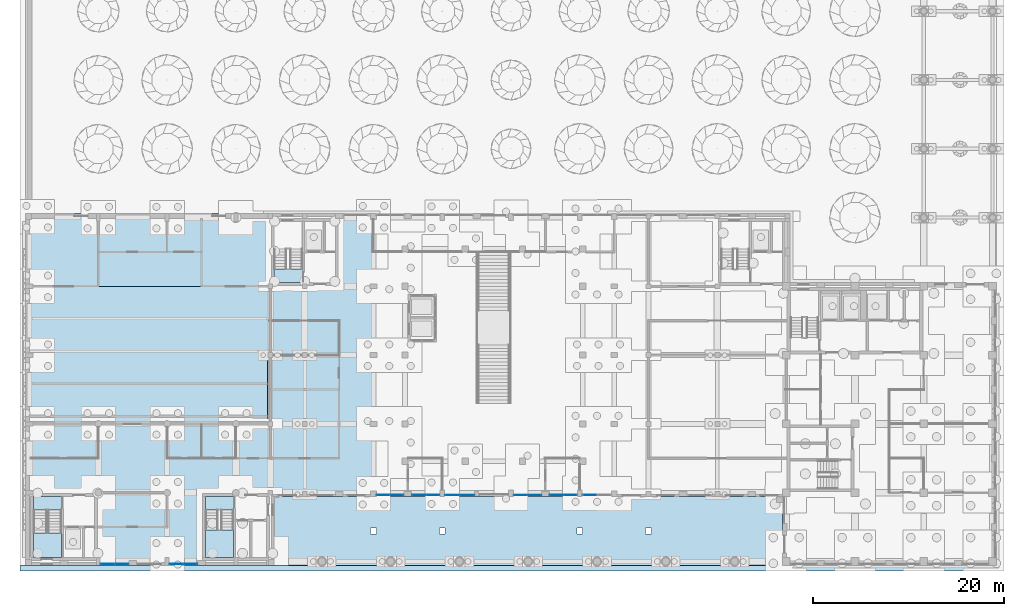
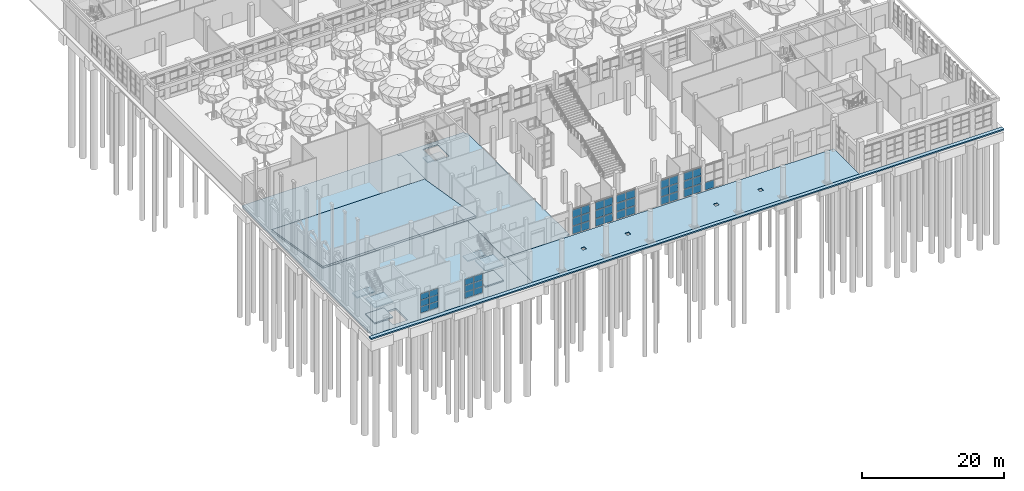
# One storey, part 30 of 80: 43 plates, 12 slabs, 11 elements without a shape of their own.
"""IFC4 building model written with IfcOpenShell, lengths in metres."""

from ifc_helpers import new_model, si_unit, direction, frame, origin, origin_2d, place, context, subcontext, project, spatial, polyline, rectangle, outline, extrude, material, layer, layer_set, type_object, element, aggregate, save


model = new_model("IFC4")

# Units and contexts
model_context = context("Model", 3, precision=1e-05, world=origin(), true_north=direction((0.0, 1.0)))
body_context = subcontext(model_context, "Body", "Model", "MODEL_VIEW")
ifc_project = project(units=[si_unit("LENGTHUNIT", "METRE"), si_unit("AREAUNIT", "SQUARE_METRE"), si_unit("VOLUMEUNIT", "CUBIC_METRE"), si_unit("PLANEANGLEUNIT", "RADIAN"), si_unit("MASSUNIT", "GRAM", prefix="KILO")], contexts=[model_context])

# Site, building, storey
site_placement = place(None, origin())
site = spatial("IfcSite", under=ifc_project, at=site_placement, CompositionType="ELEMENT")
building_placement = place(site_placement, origin())
building = spatial("IfcBuilding", under=site, at=building_placement, Name="Ussher Court Research Institute", CompositionType="ELEMENT")
storey_placement = place(building_placement, origin())
storey = spatial("IfcBuildingStorey", under=building, at=storey_placement, Name="L00", CompositionType="ELEMENT", Elevation=0.0)

# Slabs
ifc_material_1 = material(Name="Precast concrete C30/37 paving", Category="concrete")
ifc_layer_1 = layer(ifc_material_1, 0.1201171875)
ifc_layer_set_1 = layer_set([ifc_layer_1], Name="Precast concrete C30/37 paving")
slab_type_1 = type_object("IfcSlabType", Name="External paving slab 120 pedestrian", PredefinedType="BASESLAB", material=ifc_layer_set_1)
slab_1_placement = place(storey_placement, frame((0.0, 0.0, -0.1201171875)))
element("IfcSlab", 1, at=slab_1_placement, inside=storey, type_object=slab_type_1, Name="Colonnade floor paving", PredefinedType="BASESLAB", context=body_context, shape_type="SweptSolid", body=[
    extrude(outline(polyline([(64.60009765625, 10.800048828125), (63.800048828125, 10.800048828125), (39.39990234375, 10.800048828125), (38.60009765625, 10.800048828125), (28.60009765625, 10.800048828125), (28.60009765625, 3.60009765625), (81.800048828125, 3.60009765625), (81.800048828125, 10.800048828125), (64.60009765625, 10.800048828125)]), holes=[polyline([(38.699951171875, 6.89990234375), (38.699951171875, 7.5), (39.300048828125, 7.5), (39.300048828125, 6.89990234375), (38.699951171875, 6.89990234375)]), polyline([(45.89990234375, 6.89990234375), (45.89990234375, 7.5), (46.5, 7.5), (46.5, 6.89990234375), (45.89990234375, 6.89990234375)]), polyline([(60.300048828125, 6.89990234375), (60.300048828125, 7.5), (60.89990234375, 7.5), (60.89990234375, 6.89990234375), (60.300048828125, 6.89990234375)]), polyline([(67.5, 6.89990234375), (67.5, 7.5), (68.10009765625, 7.5), (68.10009765625, 6.89990234375), (67.5, 6.89990234375)])]), origin(), (0.0, 0.0, 1.0), 0.1201171875),
])
ifc_material_2 = material(Name="Precast concrete C30/37 paving", Category="concrete")
ifc_layer_2 = layer(ifc_material_2, 0.219970703125)
ifc_layer_set_2 = layer_set([ifc_layer_2], Name="Precast concrete C30/37 paving")
slab_type_2 = type_object("IfcSlabType", Name="External paving slab 220 light vehicle", PredefinedType="BASESLAB", material=ifc_layer_set_2)
slab_2_placement = place(storey_placement, frame((0.0, 0.0, -0.219970703125)))
element("IfcSlab", 2, at=slab_2_placement, inside=storey, type_object=slab_type_2, Name="Forecourt paving", PredefinedType="BASESLAB", context=body_context, shape_type="SweptSolid", body=[
    extrude(outline(polyline([(105.0, 3.0), (105.0, 3.60009765625), (104.199951171875, 3.60009765625), (81.800048828125, 3.60009765625), (28.60009765625, 3.60009765625), (20.60009765625, 3.60009765625), (10.60009765625, 3.60009765625), (2.60009765625, 3.60009765625), (2.0, 3.60009765625), (2.0, 3.0), (105.0, 3.0)])), origin(), (0.0, 0.0, 1.0), 0.219970703125),
])

# Curtain wall, plate
ifc_material_3 = material(Name="Bronze anodised aluminium with low-e glass", Category="aluminium")
ifc_layer_3 = layer(ifc_material_3, 0.1201171875)
ifc_layer_set_3 = layer_set([ifc_layer_3], Name="Bronze anodised aluminium with low-e glass")
curtain_wall_type_1 = type_object("IfcCurtainWallType", Name="Curtain wall atrium clear glazing", PredefinedType="NOTDEFINED", material=ifc_layer_set_3)
curtain_wall_1_placement = place(storey_placement, origin())
curtain_wall_1 = element("IfcCurtainWall", 3, at=curtain_wall_1_placement, inside=storey, type_object=curtain_wall_type_1, Name="Curtain wall CW2 L00", PredefinedType="NOTDEFINED")
ifc_material_4 = material(Name="Double glazed unit")
ifc_layer_4 = layer(ifc_material_4, 0.028076171875)
ifc_layer_set_4 = layer_set([ifc_layer_4], Name="Double glazed unit")
plate_type_1 = type_object("IfcPlateType", Name="Glazing panel 28 mm", PredefinedType="CURTAIN_PANEL", material=ifc_layer_set_4)
plate_1_placement = place(storey_placement, frame((61.62744140625, 10.949951171875, 0.06005859375), z_axis=(0.0, 0.0, 1.0), x_axis=(-1.0, 0.0, 0.0)))
plate_1 = element("IfcPlate", 4, at=plate_1_placement, type_object=plate_type_1, Name="CW2 panel 2.1", PredefinedType="CURTAIN_PANEL", context=body_context, shape_type="SweptSolid", body=[
    extrude(rectangle(XDim=1.43505859375, YDim=0.028076171875, at=origin_2d()), origin(), (0.0, 0.0, 1.0), 1.34326171875),
])
aggregate(curtain_wall_1, [plate_1])

# Curtain wall, plates
curtain_wall_2_placement = place(storey_placement, origin())
curtain_wall_2 = element("IfcCurtainWall", 5, at=curtain_wall_2_placement, inside=storey, type_object=curtain_wall_type_1, Name="Curtain wall CW2 L00", PredefinedType="NOTDEFINED")
plate_2_placement = place(storey_placement, frame((59.597412109375, 10.949951171875, 0.06005859375), z_axis=(0.0, 0.0, 1.0), x_axis=(-1.0, 0.0, 0.0)))
plate_2 = element("IfcPlate", 6, at=plate_2_placement, type_object=plate_type_1, Name="CW2 panel 1.1", PredefinedType="CURTAIN_PANEL", context=body_context, shape_type="SweptSolid", body=[
    extrude(rectangle(XDim=1.385009765625, YDim=0.028076171875, at=origin_2d()), origin(), (0.0, 0.0, 1.0), 1.34326171875),
])
plate_3_placement = place(storey_placement, frame((59.597412109375, 10.949951171875, 1.46337890625), z_axis=(0.0, 0.0, 1.0), x_axis=(-1.0, 0.0, 0.0)))
plate_3 = element("IfcPlate", 7, at=plate_3_placement, type_object=plate_type_1, Name="CW2 panel 1.2", PredefinedType="CURTAIN_PANEL", context=body_context, shape_type="SweptSolid", body=[
    extrude(rectangle(XDim=1.385009765625, YDim=0.028076171875, at=origin_2d()), origin(), (0.0, 0.0, 1.0), 1.373291015625),
])
plate_4_placement = place(storey_placement, frame((59.597412109375, 10.949951171875, 2.896728515625), z_axis=(0.0, 0.0, 1.0), x_axis=(-1.0, 0.0, 0.0)))
plate_4 = element("IfcPlate", 8, at=plate_4_placement, type_object=plate_type_1, Name="CW2 panel 1.3", PredefinedType="CURTAIN_PANEL", context=body_context, shape_type="SweptSolid", body=[
    extrude(rectangle(XDim=1.385009765625, YDim=0.028076171875, at=origin_2d()), origin(), (0.0, 0.0, 1.0), 1.34326171875),
])
plate_5_placement = place(storey_placement, frame((58.152587890625, 10.949951171875, 0.06005859375), z_axis=(0.0, 0.0, 1.0), x_axis=(-1.0, 0.0, 0.0)))
plate_5 = element("IfcPlate", 9, at=plate_5_placement, type_object=plate_type_1, Name="CW2 panel 2.1", PredefinedType="CURTAIN_PANEL", context=body_context, shape_type="SweptSolid", body=[
    extrude(rectangle(XDim=1.385009765625, YDim=0.028076171875, at=origin_2d()), origin(), (0.0, 0.0, 1.0), 1.34326171875),
])
plate_6_placement = place(storey_placement, frame((58.152587890625, 10.949951171875, 1.46337890625), z_axis=(0.0, 0.0, 1.0), x_axis=(-1.0, 0.0, 0.0)))
plate_6 = element("IfcPlate", 10, at=plate_6_placement, type_object=plate_type_1, Name="CW2 panel 2.2", PredefinedType="CURTAIN_PANEL", context=body_context, shape_type="SweptSolid", body=[
    extrude(rectangle(XDim=1.385009765625, YDim=0.028076171875, at=origin_2d()), origin(), (0.0, 0.0, 1.0), 1.373291015625),
])
plate_7_placement = place(storey_placement, frame((58.152587890625, 10.949951171875, 2.896728515625), z_axis=(0.0, 0.0, 1.0), x_axis=(-1.0, 0.0, 0.0)))
plate_7 = element("IfcPlate", 11, at=plate_7_placement, type_object=plate_type_1, Name="CW2 panel 2.3", PredefinedType="CURTAIN_PANEL", context=body_context, shape_type="SweptSolid", body=[
    extrude(rectangle(XDim=1.385009765625, YDim=0.028076171875, at=origin_2d()), origin(), (0.0, 0.0, 1.0), 1.34326171875),
])
aggregate(curtain_wall_2, [plate_2, plate_3, plate_4, plate_5, plate_6, plate_7])

curtain_wall_3_placement = place(storey_placement, origin())
curtain_wall_3 = element("IfcCurtainWall", 12, at=curtain_wall_3_placement, inside=storey, type_object=curtain_wall_type_1, Name="Curtain wall CW2 L00", PredefinedType="NOTDEFINED")
plate_8_placement = place(storey_placement, frame((45.197509765625, 10.949951171875, 0.06005859375), z_axis=(0.0, 0.0, 1.0), x_axis=(-1.0, 0.0, 0.0)))
plate_8 = element("IfcPlate", 13, at=plate_8_placement, type_object=plate_type_1, Name="CW2 panel 1.1", PredefinedType="CURTAIN_PANEL", context=body_context, shape_type="SweptSolid", body=[
    extrude(rectangle(XDim=1.385009765625, YDim=0.028076171875, at=origin_2d()), origin(), (0.0, 0.0, 1.0), 1.34326171875),
])
plate_9_placement = place(storey_placement, frame((45.197509765625, 10.949951171875, 1.46337890625), z_axis=(0.0, 0.0, 1.0), x_axis=(-1.0, 0.0, 0.0)))
plate_9 = element("IfcPlate", 14, at=plate_9_placement, type_object=plate_type_1, Name="CW2 panel 1.2", PredefinedType="CURTAIN_PANEL", context=body_context, shape_type="SweptSolid", body=[
    extrude(rectangle(XDim=1.385009765625, YDim=0.028076171875, at=origin_2d()), origin(), (0.0, 0.0, 1.0), 1.373291015625),
])
plate_10_placement = place(storey_placement, frame((45.197509765625, 10.949951171875, 2.896728515625), z_axis=(0.0, 0.0, 1.0), x_axis=(-1.0, 0.0, 0.0)))
plate_10 = element("IfcPlate", 15, at=plate_10_placement, type_object=plate_type_1, Name="CW2 panel 1.3", PredefinedType="CURTAIN_PANEL", context=body_context, shape_type="SweptSolid", body=[
    extrude(rectangle(XDim=1.385009765625, YDim=0.028076171875, at=origin_2d()), origin(), (0.0, 0.0, 1.0), 1.34326171875),
])
plate_11_placement = place(storey_placement, frame((43.75244140625, 10.949951171875, 0.06005859375), z_axis=(0.0, 0.0, 1.0), x_axis=(-1.0, 0.0, 0.0)))
plate_11 = element("IfcPlate", 16, at=plate_11_placement, type_object=plate_type_1, Name="CW2 panel 2.1", PredefinedType="CURTAIN_PANEL", context=body_context, shape_type="SweptSolid", body=[
    extrude(rectangle(XDim=1.385009765625, YDim=0.028076171875, at=origin_2d()), origin(), (0.0, 0.0, 1.0), 1.34326171875),
])
plate_12_placement = place(storey_placement, frame((43.75244140625, 10.949951171875, 1.46337890625), z_axis=(0.0, 0.0, 1.0), x_axis=(-1.0, 0.0, 0.0)))
plate_12 = element("IfcPlate", 17, at=plate_12_placement, type_object=plate_type_1, Name="CW2 panel 2.2", PredefinedType="CURTAIN_PANEL", context=body_context, shape_type="SweptSolid", body=[
    extrude(rectangle(XDim=1.385009765625, YDim=0.028076171875, at=origin_2d()), origin(), (0.0, 0.0, 1.0), 1.373291015625),
])
plate_13_placement = place(storey_placement, frame((43.75244140625, 10.949951171875, 2.896728515625), z_axis=(0.0, 0.0, 1.0), x_axis=(-1.0, 0.0, 0.0)))
plate_13 = element("IfcPlate", 18, at=plate_13_placement, type_object=plate_type_1, Name="CW2 panel 2.3", PredefinedType="CURTAIN_PANEL", context=body_context, shape_type="SweptSolid", body=[
    extrude(rectangle(XDim=1.385009765625, YDim=0.028076171875, at=origin_2d()), origin(), (0.0, 0.0, 1.0), 1.34326171875),
])
aggregate(curtain_wall_3, [plate_8, plate_9, plate_10, plate_11, plate_12, plate_13])

curtain_wall_4_placement = place(storey_placement, origin())
curtain_wall_4 = element("IfcCurtainWall", 19, at=curtain_wall_4_placement, inside=storey, type_object=curtain_wall_type_1, Name="Curtain wall CW2 L00", PredefinedType="NOTDEFINED")
plate_14_placement = place(storey_placement, frame((41.4599609375, 10.949951171875, 0.06005859375), z_axis=(0.0, 0.0, 1.0), x_axis=(-1.0, 0.0, 0.0)))
plate_14 = element("IfcPlate", 20, at=plate_14_placement, type_object=plate_type_1, Name="CW2 panel 1.1", PredefinedType="CURTAIN_PANEL", context=body_context, shape_type="SweptSolid", body=[
    extrude(rectangle(XDim=1.360107421875, YDim=0.028076171875, at=origin_2d()), origin(), (0.0, 0.0, 1.0), 1.34326171875),
])
plate_15_placement = place(storey_placement, frame((41.4599609375, 10.949951171875, 1.46337890625), z_axis=(0.0, 0.0, 1.0), x_axis=(-1.0, 0.0, 0.0)))
plate_15 = element("IfcPlate", 21, at=plate_15_placement, type_object=plate_type_1, Name="CW2 panel 1.2", PredefinedType="CURTAIN_PANEL", context=body_context, shape_type="SweptSolid", body=[
    extrude(rectangle(XDim=1.360107421875, YDim=0.028076171875, at=origin_2d()), origin(), (0.0, 0.0, 1.0), 1.373291015625),
])
plate_16_placement = place(storey_placement, frame((41.4599609375, 10.949951171875, 2.896728515625), z_axis=(0.0, 0.0, 1.0), x_axis=(-1.0, 0.0, 0.0)))
plate_16 = element("IfcPlate", 22, at=plate_16_placement, type_object=plate_type_1, Name="CW2 panel 1.3", PredefinedType="CURTAIN_PANEL", context=body_context, shape_type="SweptSolid", body=[
    extrude(rectangle(XDim=1.360107421875, YDim=0.028076171875, at=origin_2d()), origin(), (0.0, 0.0, 1.0), 1.34326171875),
])
plate_17_placement = place(storey_placement, frame((40.0400390625, 10.949951171875, 0.06005859375), z_axis=(0.0, 0.0, 1.0), x_axis=(-1.0, 0.0, 0.0)))
plate_17 = element("IfcPlate", 23, at=plate_17_placement, type_object=plate_type_1, Name="CW2 panel 2.1", PredefinedType="CURTAIN_PANEL", context=body_context, shape_type="SweptSolid", body=[
    extrude(rectangle(XDim=1.360107421875, YDim=0.028076171875, at=origin_2d()), origin(), (0.0, 0.0, 1.0), 1.34326171875),
])
plate_18_placement = place(storey_placement, frame((40.0400390625, 10.949951171875, 1.46337890625), z_axis=(0.0, 0.0, 1.0), x_axis=(-1.0, 0.0, 0.0)))
plate_18 = element("IfcPlate", 24, at=plate_18_placement, type_object=plate_type_1, Name="CW2 panel 2.2", PredefinedType="CURTAIN_PANEL", context=body_context, shape_type="SweptSolid", body=[
    extrude(rectangle(XDim=1.360107421875, YDim=0.028076171875, at=origin_2d()), origin(), (0.0, 0.0, 1.0), 1.373291015625),
])
plate_19_placement = place(storey_placement, frame((40.0400390625, 10.949951171875, 2.896728515625), z_axis=(0.0, 0.0, 1.0), x_axis=(-1.0, 0.0, 0.0)))
plate_19 = element("IfcPlate", 25, at=plate_19_placement, type_object=plate_type_1, Name="CW2 panel 2.3", PredefinedType="CURTAIN_PANEL", context=body_context, shape_type="SweptSolid", body=[
    extrude(rectangle(XDim=1.360107421875, YDim=0.028076171875, at=origin_2d()), origin(), (0.0, 0.0, 1.0), 1.34326171875),
])
aggregate(curtain_wall_4, [plate_14, plate_15, plate_16, plate_17, plate_18, plate_19])

ifc_material_5 = material(Name="Bronze anodised aluminium with low-e glass", Category="aluminium")
ifc_layer_5 = layer(ifc_material_5, 0.159912109375)
ifc_layer_set_5 = layer_set([ifc_layer_5], Name="Bronze anodised aluminium with low-e glass")
curtain_wall_type_2 = type_object("IfcCurtainWallType", Name="Curtain wall lecture theatre gable glazing", PredefinedType="NOTDEFINED", material=ifc_layer_set_5)
curtain_wall_5_placement = place(storey_placement, origin())
curtain_wall_5 = element("IfcCurtainWall", 26, at=curtain_wall_5_placement, inside=storey, type_object=curtain_wall_type_2, Name="Curtain wall CW5 L00", PredefinedType="NOTDEFINED")
ifc_material_6 = material(Name="Double glazed unit laminated")
ifc_layer_6 = layer(ifc_material_6, 0.035888671875)
ifc_layer_set_6 = layer_set([ifc_layer_6], Name="Double glazed unit laminated")
plate_type_2 = type_object("IfcPlateType", Name="Glazing panel 36 mm", PredefinedType="CURTAIN_PANEL", material=ifc_layer_set_6)
plate_20_placement = place(storey_placement, frame((19.8349609375, 3.75, 0.9599609375), z_axis=(0.0, 0.0, 1.0), x_axis=(-1.0, 0.0, 0.0)))
plate_20 = element("IfcPlate", 27, at=plate_20_placement, type_object=plate_type_2, Name="CW5 panel 1.1", PredefinedType="CURTAIN_PANEL", context=body_context, shape_type="SweptSolid", body=[
    extrude(rectangle(XDim=1.409912109375, YDim=0.035888671875, at=origin_2d()), origin(), (0.0, 0.0, 1.0), 1.043212890625),
])
plate_21_placement = place(storey_placement, frame((19.8349609375, 3.75, 2.0634765625), z_axis=(0.0, 0.0, 1.0), x_axis=(-1.0, 0.0, 0.0)))
plate_21 = element("IfcPlate", 28, at=plate_21_placement, type_object=plate_type_2, Name="CW5 panel 1.2", PredefinedType="CURTAIN_PANEL", context=body_context, shape_type="SweptSolid", body=[
    extrude(rectangle(XDim=1.409912109375, YDim=0.035888671875, at=origin_2d()), origin(), (0.0, 0.0, 1.0), 1.073486328125),
])
plate_22_placement = place(storey_placement, frame((19.8349609375, 3.75, 3.19677734375), z_axis=(0.0, 0.0, 1.0), x_axis=(-1.0, 0.0, 0.0)))
plate_22 = element("IfcPlate", 29, at=plate_22_placement, type_object=plate_type_2, Name="CW5 panel 1.3", PredefinedType="CURTAIN_PANEL", context=body_context, shape_type="SweptSolid", body=[
    extrude(rectangle(XDim=1.409912109375, YDim=0.035888671875, at=origin_2d()), origin(), (0.0, 0.0, 1.0), 1.043212890625),
])
plate_23_placement = place(storey_placement, frame((18.364990234375, 3.75, 0.9599609375), z_axis=(0.0, 0.0, 1.0), x_axis=(-1.0, 0.0, 0.0)))
plate_23 = element("IfcPlate", 30, at=plate_23_placement, type_object=plate_type_2, Name="CW5 panel 2.1", PredefinedType="CURTAIN_PANEL", context=body_context, shape_type="SweptSolid", body=[
    extrude(rectangle(XDim=1.409912109375, YDim=0.035888671875, at=origin_2d()), origin(), (0.0, 0.0, 1.0), 1.043212890625),
])
plate_24_placement = place(storey_placement, frame((18.364990234375, 3.75, 2.0634765625), z_axis=(0.0, 0.0, 1.0), x_axis=(-1.0, 0.0, 0.0)))
plate_24 = element("IfcPlate", 31, at=plate_24_placement, type_object=plate_type_2, Name="CW5 panel 2.2", PredefinedType="CURTAIN_PANEL", context=body_context, shape_type="SweptSolid", body=[
    extrude(rectangle(XDim=1.409912109375, YDim=0.035888671875, at=origin_2d()), origin(), (0.0, 0.0, 1.0), 1.073486328125),
])
plate_25_placement = place(storey_placement, frame((18.364990234375, 3.75, 3.19677734375), z_axis=(0.0, 0.0, 1.0), x_axis=(-1.0, 0.0, 0.0)))
plate_25 = element("IfcPlate", 32, at=plate_25_placement, type_object=plate_type_2, Name="CW5 panel 2.3", PredefinedType="CURTAIN_PANEL", context=body_context, shape_type="SweptSolid", body=[
    extrude(rectangle(XDim=1.409912109375, YDim=0.035888671875, at=origin_2d()), origin(), (0.0, 0.0, 1.0), 1.043212890625),
])
aggregate(curtain_wall_5, [plate_20, plate_21, plate_22, plate_23, plate_24, plate_25])

curtain_wall_6_placement = place(storey_placement, origin())
curtain_wall_6 = element("IfcCurtainWall", 33, at=curtain_wall_6_placement, inside=storey, type_object=curtain_wall_type_2, Name="Curtain wall CW5 L00", PredefinedType="NOTDEFINED")
plate_26_placement = place(storey_placement, frame((12.635009765625, 3.75, 0.9599609375), z_axis=(0.0, 0.0, 1.0), x_axis=(-1.0, 0.0, 0.0)))
plate_26 = element("IfcPlate", 34, at=plate_26_placement, type_object=plate_type_2, Name="CW5 panel 1.1", PredefinedType="CURTAIN_PANEL", context=body_context, shape_type="SweptSolid", body=[
    extrude(rectangle(XDim=1.409912109375, YDim=0.035888671875, at=origin_2d()), origin(), (0.0, 0.0, 1.0), 1.043212890625),
])
plate_27_placement = place(storey_placement, frame((12.635009765625, 3.75, 2.0634765625), z_axis=(0.0, 0.0, 1.0), x_axis=(-1.0, 0.0, 0.0)))
plate_27 = element("IfcPlate", 35, at=plate_27_placement, type_object=plate_type_2, Name="CW5 panel 1.2", PredefinedType="CURTAIN_PANEL", context=body_context, shape_type="SweptSolid", body=[
    extrude(rectangle(XDim=1.409912109375, YDim=0.035888671875, at=origin_2d()), origin(), (0.0, 0.0, 1.0), 1.073486328125),
])
plate_28_placement = place(storey_placement, frame((12.635009765625, 3.75, 3.19677734375), z_axis=(0.0, 0.0, 1.0), x_axis=(-1.0, 0.0, 0.0)))
plate_28 = element("IfcPlate", 36, at=plate_28_placement, type_object=plate_type_2, Name="CW5 panel 1.3", PredefinedType="CURTAIN_PANEL", context=body_context, shape_type="SweptSolid", body=[
    extrude(rectangle(XDim=1.409912109375, YDim=0.035888671875, at=origin_2d()), origin(), (0.0, 0.0, 1.0), 1.043212890625),
])
plate_29_placement = place(storey_placement, frame((11.1650390625, 3.75, 0.9599609375), z_axis=(0.0, 0.0, 1.0), x_axis=(-1.0, 0.0, 0.0)))
plate_29 = element("IfcPlate", 37, at=plate_29_placement, type_object=plate_type_2, Name="CW5 panel 2.1", PredefinedType="CURTAIN_PANEL", context=body_context, shape_type="SweptSolid", body=[
    extrude(rectangle(XDim=1.409912109375, YDim=0.035888671875, at=origin_2d()), origin(), (0.0, 0.0, 1.0), 1.043212890625),
])
plate_30_placement = place(storey_placement, frame((11.1650390625, 3.75, 2.0634765625), z_axis=(0.0, 0.0, 1.0), x_axis=(-1.0, 0.0, 0.0)))
plate_30 = element("IfcPlate", 38, at=plate_30_placement, type_object=plate_type_2, Name="CW5 panel 2.2", PredefinedType="CURTAIN_PANEL", context=body_context, shape_type="SweptSolid", body=[
    extrude(rectangle(XDim=1.409912109375, YDim=0.035888671875, at=origin_2d()), origin(), (0.0, 0.0, 1.0), 1.073486328125),
])
plate_31_placement = place(storey_placement, frame((11.1650390625, 3.75, 3.19677734375), z_axis=(0.0, 0.0, 1.0), x_axis=(-1.0, 0.0, 0.0)))
plate_31 = element("IfcPlate", 39, at=plate_31_placement, type_object=plate_type_2, Name="CW5 panel 2.3", PredefinedType="CURTAIN_PANEL", context=body_context, shape_type="SweptSolid", body=[
    extrude(rectangle(XDim=1.409912109375, YDim=0.035888671875, at=origin_2d()), origin(), (0.0, 0.0, 1.0), 1.043212890625),
])
aggregate(curtain_wall_6, [plate_26, plate_27, plate_28, plate_29, plate_30, plate_31])

# Slabs
ifc_material_7 = material(Name="Concrete C35/45", Category="concrete")
ifc_layer_7 = layer(ifc_material_7, 0.139892578125)
ifc_layer_set_7 = layer_set([ifc_layer_7], Name="Concrete C35/45")
slab_type_3 = type_object("IfcSlabType", Name="Ground slab 140", PredefinedType="BASESLAB", material=ifc_layer_set_7)
slab_3_placement = place(storey_placement, frame((0.0, 0.0, -0.139892578125)))
element("IfcSlab", 40, at=slab_3_placement, inside=storey, type_object=slab_type_3, Name="GS140 V7 L00-02", PredefinedType="BASESLAB", context=body_context, shape_type="SweptSolid", body=[
    extrude(outline(polyline([(38.60009765625, 40.0), (38.60009765625, 40.39990234375), (27.800048828125, 40.39990234375), (27.800048828125, 40.0), (28.199951171875, 40.0), (28.199951171875, 10.800048828125), (38.60009765625, 10.800048828125), (38.60009765625, 11.199951171875), (39.0, 11.199951171875), (39.0, 40.0), (38.60009765625, 40.0)]), holes=[polyline([(33.949951171875, 39.60009765625), (33.949951171875, 36.300048828125), (31.550048828125, 36.300048828125), (31.550048828125, 39.60009765625), (33.949951171875, 39.60009765625)])]), origin(), (0.0, 0.0, 1.0), 0.139892578125),
])
ifc_material_8 = material(Name="Concrete C35/45", Category="concrete")
ifc_layer_8 = layer(ifc_material_8, 0.320068359375)
ifc_layer_set_8 = layer_set([ifc_layer_8], Name="Concrete C35/45")
slab_type_4 = type_object("IfcSlabType", Name="Ground slab 320", PredefinedType="BASESLAB", material=ifc_layer_set_8)
slab_4_placement = place(storey_placement, frame((0.0, 0.0, -0.320068359375)))
element("IfcSlab", 41, at=slab_4_placement, inside=storey, type_object=slab_type_4, Name="GS320 V1 L00-01", PredefinedType="BASESLAB", context=body_context, shape_type="SweptSolid", body=[
    extrude(outline(polyline([(27.800048828125, 40.39990234375), (2.60009765625, 40.39990234375), (2.60009765625, 3.60009765625), (28.60009765625, 3.60009765625), (28.60009765625, 10.800048828125), (28.199951171875, 10.800048828125), (28.199951171875, 40.0), (27.800048828125, 40.0), (27.800048828125, 40.39990234375)]), holes=[polyline([(8.75, 7.699951171875), (8.75, 4.39990234375), (6.35009765625, 4.39990234375), (6.35009765625, 7.699951171875), (8.75, 7.699951171875)])]), origin(), (0.0, 0.0, 1.0), 0.320068359375),
])
ifc_material_9 = material(Name="Concrete C35/45", Category="concrete")
ifc_layer_9 = layer(ifc_material_9, 0.300048828125)
ifc_layer_set_9 = layer_set([ifc_layer_9], Name="Concrete C35/45")
slab_type_5 = type_object("IfcSlabType", Name="Raked hall slab 300", PredefinedType="FLOOR", material=ifc_layer_set_9)
slab_5_placement = place(storey_placement, frame((3.02001953125, 32.800048828125, 0.30908203125), z_axis=(0.0, 0.1643908516, 0.986395279749), x_axis=(1.0, 0.0, 0.0)))
element("IfcSlab", 42, at=slab_5_placement, inside=storey, type_object=slab_type_5, Name="KS300 V1 L00-01", PredefinedType="FLOOR", context=body_context, shape_type="SweptSolid", body=[
    extrude(outline(polyline([(0.0, 0.0), (24.8798828125, 0.0), (24.8798828125, -14.598758509921122), (0.0, -14.598758509921122), (0.0, 0.0)])), origin(), (0.0, 0.0, -1.0), 0.300048828125),
])

# Stair, slab
ifc_material_10 = material(Name="Concrete C35/45", Category="concrete")
stair_type_1 = type_object("IfcStairType", Name="Core stair 32 risers 169 mm x 300 going 1300 wide", PredefinedType="HALF_TURN_STAIR", material=ifc_material_10)
stair_1_placement = place(storey_placement, origin())
stair_1 = element("IfcStair", 43, at=stair_1_placement, inside=storey, type_object=stair_type_1, Name="L00 Stair W1", PredefinedType="HALF_TURN_STAIR")
ifc_material_11 = material(Name="Concrete C35/45", Category="concrete")
ifc_layer_10 = layer(ifc_material_11, 0.199951171875)
ifc_layer_set_10 = layer_set([ifc_layer_10], Name="Concrete C35/45")
slab_type_6 = type_object("IfcSlabType", Name="Stair landing 200 RC", PredefinedType="LANDING", material=ifc_layer_set_10)
slab_6_placement = place(storey_placement, frame((0.0, 0.0, 2.5)))
slab_6 = element("IfcSlab", 44, at=slab_6_placement, type_object=slab_type_6, Name="W1 landing 2", PredefinedType="LANDING", context=body_context, shape_type="SweptSolid", body=[
    extrude(outline(polyline([(31.550048828125, 33.199951171875), (31.550048828125, 34.60009765625), (28.60009765625, 34.60009765625), (28.60009765625, 33.199951171875), (31.550048828125, 33.199951171875)])), origin(), (0.0, 0.0, 1.0), 0.199951171875),
])
aggregate(stair_1, [slab_6])

# Stair, slabs
ifc_material_12 = material(Name="Concrete C35/45", Category="concrete")
stair_type_2 = type_object("IfcStairType", Name="Core stair 36 risers 150 mm x 300 going 1400 wide", PredefinedType="HALF_TURN_STAIR", material=ifc_material_12)
stair_2_placement = place(storey_placement, origin())
stair_2 = element("IfcStair", 45, at=stair_2_placement, inside=storey, type_object=stair_type_2, Name="L00 Stair H1", PredefinedType="HALF_TURN_STAIR")
ifc_material_13 = material(Name="Concrete C35/45", Category="concrete")
ifc_layer_11 = layer(ifc_material_13, 0.260009765625)
ifc_layer_set_11 = layer_set([ifc_layer_11], Name="Concrete C35/45")
slab_type_7 = type_object("IfcSlabType", Name="Stair landing 260 RC", PredefinedType="LANDING", material=ifc_layer_set_11)
slab_7_placement = place(storey_placement, frame((0.0, 0.0, 1.14990234375)))
slab_7 = element("IfcSlab", 46, at=slab_7_placement, type_object=slab_type_7, Name="H1 landing 1", PredefinedType="LANDING", context=body_context, shape_type="SweptSolid", body=[
    extrude(outline(polyline([(3.39990234375, 7.0), (3.39990234375, 4.39990234375), (6.35009765625, 4.39990234375), (6.35009765625, 7.0), (3.39990234375, 7.0)])), origin(), (0.0, 0.0, 1.0), 0.2001953125),
])
slab_8_placement = place(storey_placement, frame((0.0, 0.0, 2.5)))
slab_8 = element("IfcSlab", 47, at=slab_8_placement, type_object=slab_type_7, Name="H1 landing 2", PredefinedType="LANDING", context=body_context, shape_type="SweptSolid", body=[
    extrude(outline(polyline([(3.39990234375, 10.800048828125), (3.39990234375, 9.39990234375), (6.35009765625, 9.39990234375), (6.35009765625, 10.800048828125), (3.39990234375, 10.800048828125)])), origin(), (0.0, 0.0, 1.0), 0.199951171875),
])
slab_9_placement = place(storey_placement, frame((0.0, 0.0, 3.85009765625)))
slab_9 = element("IfcSlab", 48, at=slab_9_placement, type_object=slab_type_7, Name="H1 landing 3", PredefinedType="LANDING", context=body_context, shape_type="SweptSolid", body=[
    extrude(outline(polyline([(3.39990234375, 7.0), (3.39990234375, 4.39990234375), (6.35009765625, 4.39990234375), (6.35009765625, 7.0), (3.39990234375, 7.0)])), origin(), (0.0, 0.0, 1.0), 0.199951171875),
])
aggregate(stair_2, [slab_7, slab_8, slab_9])

stair_3_placement = place(storey_placement, origin())
stair_3 = element("IfcStair", 49, at=stair_3_placement, inside=storey, type_object=stair_type_1, Name="L00 Stair H2", PredefinedType="HALF_TURN_STAIR")
slab_10_placement = place(storey_placement, frame((0.0, 0.0, 1.14990234375)))
slab_10 = element("IfcSlab", 50, at=slab_10_placement, type_object=slab_type_7, Name="H2 landing 1", PredefinedType="LANDING", context=body_context, shape_type="SweptSolid", body=[
    extrude(outline(polyline([(21.39990234375, 7.300048828125), (21.39990234375, 4.39990234375), (24.35009765625, 4.39990234375), (24.35009765625, 7.300048828125), (21.39990234375, 7.300048828125)])), origin(), (0.0, 0.0, 1.0), 0.2001953125),
])
slab_11_placement = place(storey_placement, frame((0.0, 0.0, 2.5)))
slab_11 = element("IfcSlab", 51, at=slab_11_placement, type_object=slab_type_7, Name="H2 landing 2", PredefinedType="LANDING", context=body_context, shape_type="SweptSolid", body=[
    extrude(outline(polyline([(21.39990234375, 10.800048828125), (21.39990234375, 9.39990234375), (24.35009765625, 9.39990234375), (24.35009765625, 10.800048828125), (21.39990234375, 10.800048828125)])), origin(), (0.0, 0.0, 1.0), 0.199951171875),
])
slab_12_placement = place(storey_placement, frame((0.0, 0.0, 3.85009765625)))
slab_12 = element("IfcSlab", 52, at=slab_12_placement, type_object=slab_type_7, Name="H2 landing 3", PredefinedType="LANDING", context=body_context, shape_type="SweptSolid", body=[
    extrude(outline(polyline([(21.39990234375, 7.300048828125), (21.39990234375, 4.39990234375), (24.35009765625, 4.39990234375), (24.35009765625, 7.300048828125), (21.39990234375, 7.300048828125)])), origin(), (0.0, 0.0, 1.0), 0.199951171875),
])
aggregate(stair_3, [slab_10, slab_11, slab_12])

# Curtain wall, plates
ifc_material_14 = material(Name="Bronze anodised aluminium with toughened glass", Category="aluminium")
ifc_layer_12 = layer(ifc_material_14, 0.10009765625)
ifc_layer_set_12 = layer_set([ifc_layer_12], Name="Bronze anodised aluminium with toughened glass")
curtain_wall_type_3 = type_object("IfcCurtainWallType", Name="Curtain wall entrance sidelight screen", PredefinedType="NOTDEFINED", material=ifc_layer_set_12)
curtain_wall_7_placement = place(storey_placement, origin())
curtain_wall_7 = element("IfcCurtainWall", 53, at=curtain_wall_7_placement, inside=storey, type_object=curtain_wall_type_3, Name="Curtain wall CW10 L00", PredefinedType="NOTDEFINED")
ifc_material_15 = material(Name="Toughened glass", Category="glass")
ifc_layer_13 = layer(ifc_material_15, 0.011962890625)
ifc_layer_set_13 = layer_set([ifc_layer_13], Name="Toughened glass")
plate_type_3 = type_object("IfcPlateType", Name="Toughened glass panel 12 mm", PredefinedType="CURTAIN_PANEL", material=ifc_layer_set_13)
plate_32_placement = place(storey_placement, frame((55.847412109375, 10.949951171875, 0.06005859375), z_axis=(0.0, 0.0, 1.0), x_axis=(-1.0, 0.0, 0.0)))
plate_32 = element("IfcPlate", 54, at=plate_32_placement, type_object=plate_type_3, Name="CW10 panel 1.1", PredefinedType="CURTAIN_PANEL", context=body_context, shape_type="SweptSolid", body=[
    extrude(rectangle(XDim=1.385009765625, YDim=0.011962890625, at=origin_2d()), origin(), (0.0, 0.0, 1.0), 1.34326171875),
])
plate_33_placement = place(storey_placement, frame((55.847412109375, 10.949951171875, 1.46337890625), z_axis=(0.0, 0.0, 1.0), x_axis=(-1.0, 0.0, 0.0)))
plate_33 = element("IfcPlate", 55, at=plate_33_placement, type_object=plate_type_3, Name="CW10 panel 1.2", PredefinedType="CURTAIN_PANEL", context=body_context, shape_type="SweptSolid", body=[
    extrude(rectangle(XDim=1.385009765625, YDim=0.011962890625, at=origin_2d()), origin(), (0.0, 0.0, 1.0), 1.373291015625),
])
plate_34_placement = place(storey_placement, frame((55.847412109375, 10.949951171875, 2.896728515625), z_axis=(0.0, 0.0, 1.0), x_axis=(-1.0, 0.0, 0.0)))
plate_34 = element("IfcPlate", 56, at=plate_34_placement, type_object=plate_type_3, Name="CW10 panel 1.3", PredefinedType="CURTAIN_PANEL", context=body_context, shape_type="SweptSolid", body=[
    extrude(rectangle(XDim=1.385009765625, YDim=0.011962890625, at=origin_2d()), origin(), (0.0, 0.0, 1.0), 1.34326171875),
])
plate_35_placement = place(storey_placement, frame((54.402587890625, 10.949951171875, 0.06005859375), z_axis=(0.0, 0.0, 1.0), x_axis=(-1.0, 0.0, 0.0)))
plate_35 = element("IfcPlate", 57, at=plate_35_placement, type_object=plate_type_3, Name="CW10 panel 2.1", PredefinedType="CURTAIN_PANEL", context=body_context, shape_type="SweptSolid", body=[
    extrude(rectangle(XDim=1.385009765625, YDim=0.011962890625, at=origin_2d()), origin(), (0.0, 0.0, 1.0), 1.34326171875),
])
plate_36_placement = place(storey_placement, frame((54.402587890625, 10.949951171875, 1.46337890625), z_axis=(0.0, 0.0, 1.0), x_axis=(-1.0, 0.0, 0.0)))
plate_36 = element("IfcPlate", 58, at=plate_36_placement, type_object=plate_type_3, Name="CW10 panel 2.2", PredefinedType="CURTAIN_PANEL", context=body_context, shape_type="SweptSolid", body=[
    extrude(rectangle(XDim=1.385009765625, YDim=0.011962890625, at=origin_2d()), origin(), (0.0, 0.0, 1.0), 1.373291015625),
])
plate_37_placement = place(storey_placement, frame((54.402587890625, 10.949951171875, 2.896728515625), z_axis=(0.0, 0.0, 1.0), x_axis=(-1.0, 0.0, 0.0)))
plate_37 = element("IfcPlate", 59, at=plate_37_placement, type_object=plate_type_3, Name="CW10 panel 2.3", PredefinedType="CURTAIN_PANEL", context=body_context, shape_type="SweptSolid", body=[
    extrude(rectangle(XDim=1.385009765625, YDim=0.011962890625, at=origin_2d()), origin(), (0.0, 0.0, 1.0), 1.34326171875),
])
aggregate(curtain_wall_7, [plate_32, plate_33, plate_34, plate_35, plate_36, plate_37])

curtain_wall_8_placement = place(storey_placement, origin())
curtain_wall_8 = element("IfcCurtainWall", 60, at=curtain_wall_8_placement, inside=storey, type_object=curtain_wall_type_3, Name="Curtain wall CW10 L00", PredefinedType="NOTDEFINED")
plate_38_placement = place(storey_placement, frame((48.797607421875, 10.949951171875, 0.06005859375), z_axis=(0.0, 0.0, 1.0), x_axis=(-1.0, 0.0, 0.0)))
plate_38 = element("IfcPlate", 61, at=plate_38_placement, type_object=plate_type_3, Name="CW10 panel 1.1", PredefinedType="CURTAIN_PANEL", context=body_context, shape_type="SweptSolid", body=[
    extrude(rectangle(XDim=1.485107421875, YDim=0.011962890625, at=origin_2d()), origin(), (0.0, 0.0, 1.0), 1.34326171875),
])
plate_39_placement = place(storey_placement, frame((48.797607421875, 10.949951171875, 1.46337890625), z_axis=(0.0, 0.0, 1.0), x_axis=(-1.0, 0.0, 0.0)))
plate_39 = element("IfcPlate", 62, at=plate_39_placement, type_object=plate_type_3, Name="CW10 panel 1.2", PredefinedType="CURTAIN_PANEL", context=body_context, shape_type="SweptSolid", body=[
    extrude(rectangle(XDim=1.485107421875, YDim=0.011962890625, at=origin_2d()), origin(), (0.0, 0.0, 1.0), 1.373291015625),
])
plate_40_placement = place(storey_placement, frame((48.797607421875, 10.949951171875, 2.896728515625), z_axis=(0.0, 0.0, 1.0), x_axis=(-1.0, 0.0, 0.0)))
plate_40 = element("IfcPlate", 63, at=plate_40_placement, type_object=plate_type_3, Name="CW10 panel 1.3", PredefinedType="CURTAIN_PANEL", context=body_context, shape_type="SweptSolid", body=[
    extrude(rectangle(XDim=1.485107421875, YDim=0.011962890625, at=origin_2d()), origin(), (0.0, 0.0, 1.0), 1.34326171875),
])
plate_41_placement = place(storey_placement, frame((47.25244140625, 10.949951171875, 0.06005859375), z_axis=(0.0, 0.0, 1.0), x_axis=(-1.0, 0.0, 0.0)))
plate_41 = element("IfcPlate", 64, at=plate_41_placement, type_object=plate_type_3, Name="CW10 panel 2.1", PredefinedType="CURTAIN_PANEL", context=body_context, shape_type="SweptSolid", body=[
    extrude(rectangle(XDim=1.485107421875, YDim=0.011962890625, at=origin_2d()), origin(), (0.0, 0.0, 1.0), 1.34326171875),
])
plate_42_placement = place(storey_placement, frame((47.25244140625, 10.949951171875, 1.46337890625), z_axis=(0.0, 0.0, 1.0), x_axis=(-1.0, 0.0, 0.0)))
plate_42 = element("IfcPlate", 65, at=plate_42_placement, type_object=plate_type_3, Name="CW10 panel 2.2", PredefinedType="CURTAIN_PANEL", context=body_context, shape_type="SweptSolid", body=[
    extrude(rectangle(XDim=1.485107421875, YDim=0.011962890625, at=origin_2d()), origin(), (0.0, 0.0, 1.0), 1.373291015625),
])
plate_43_placement = place(storey_placement, frame((47.25244140625, 10.949951171875, 2.896728515625), z_axis=(0.0, 0.0, 1.0), x_axis=(-1.0, 0.0, 0.0)))
plate_43 = element("IfcPlate", 66, at=plate_43_placement, type_object=plate_type_3, Name="CW10 panel 2.3", PredefinedType="CURTAIN_PANEL", context=body_context, shape_type="SweptSolid", body=[
    extrude(rectangle(XDim=1.485107421875, YDim=0.011962890625, at=origin_2d()), origin(), (0.0, 0.0, 1.0), 1.34326171875),
])
aggregate(curtain_wall_8, [plate_38, plate_39, plate_40, plate_41, plate_42, plate_43])

save(model, "model.ifc")
